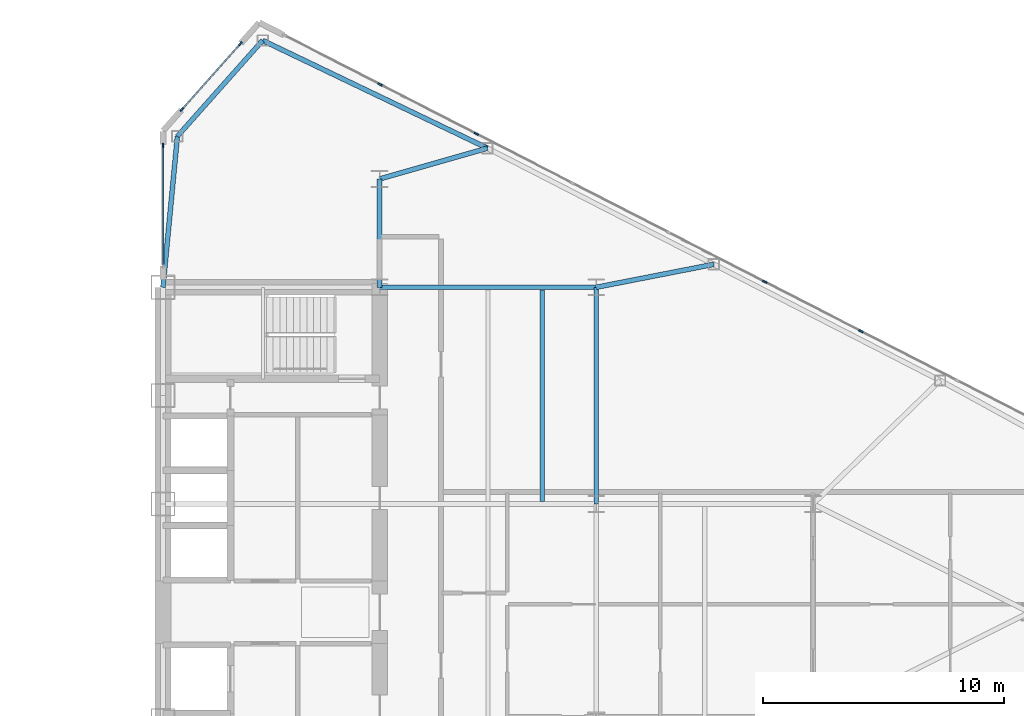
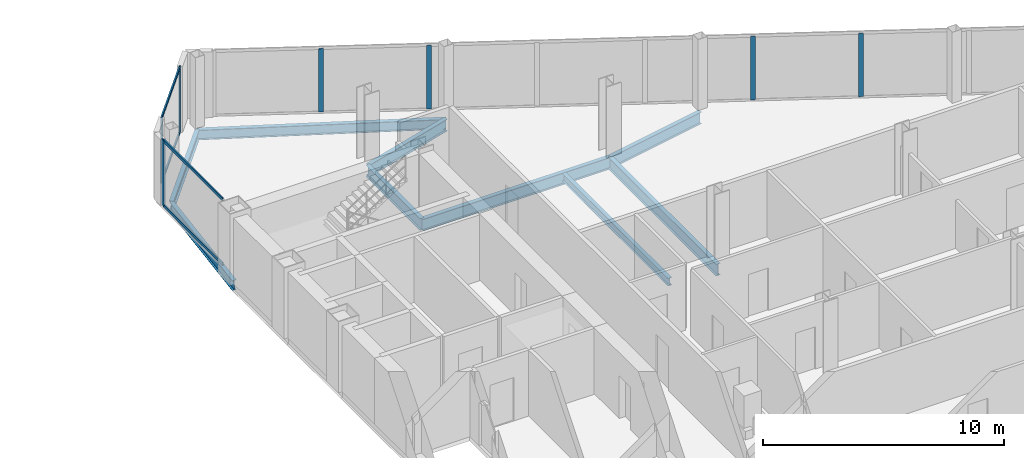
# One storey, part 11 of 23: 11 members, 9 beams, 3 elements without a shape of their own.
"""IFC4 building model written with IfcOpenShell, lengths in metres."""

from ifc_helpers import new_model, si_unit, direction, frame, origin, origin_2d, place, context, subcontext, project, spatial, rectangle, i_section, extrude, source, transform, mapped, material, layer, layer_set, material_profile, profile_set, type_object, type_shapes, element, aggregate, save


model = new_model("IFC4")

# Units and contexts
model_context = context("Model", 3, precision=1e-05, world=origin(), true_north=direction((0.0, 1.0)))
body_context = subcontext(model_context, "Body", "Model", "MODEL_VIEW")
ifc_project = project(units=[si_unit("LENGTHUNIT", "METRE"), si_unit("AREAUNIT", "SQUARE_METRE"), si_unit("VOLUMEUNIT", "CUBIC_METRE"), si_unit("PLANEANGLEUNIT", "RADIAN"), si_unit("MASSUNIT", "GRAM", prefix="KILO")], contexts=[model_context])

# Site, building, storey
site_placement = place(None, origin())
site = spatial("IfcSite", under=ifc_project, at=site_placement, CompositionType="ELEMENT")
building_placement = place(site_placement, origin())
building = spatial("IfcBuilding", under=site, at=building_placement, Name="Seokmaru Belvedere", CompositionType="ELEMENT")
storey_placement = place(building_placement, frame((0.0, 0.0, 132.0)))
storey = spatial("IfcBuildingStorey", under=building, at=storey_placement, Name="L35", CompositionType="ELEMENT", Elevation=132.0)

# Beams
ifc_material_1 = material(Name="Steel SM355 (355 MPa)", Category="steel")
ifc_material_profile_1 = material_profile(ifc_material_1, i_section(OverallWidth=0.199951171875, OverallDepth=0.60009765625, WebThickness=0.010986328125, FlangeThickness=0.01708984375, at=origin_2d()), Name="H-600x200x11x17")
ifc_profile_set_1 = profile_set([ifc_material_profile_1], Name="Steel SM355 (355 MPa)")
beam_type_1 = type_object("IfcBeamType", Name="Primary Floor Girder H-600", PredefinedType="BEAM", material=ifc_profile_set_1)
shared_shape_1 = source(origin(), body_context, "Body", "SweptSolid", [
    extrude(i_section(OverallWidth=0.199951171875, OverallDepth=0.60009765625, WebThickness=0.010986328125, FlangeThickness=0.01708984375, at=origin_2d()), origin(), (0.0, 0.0, 1.0), 9.0),
])
for number, where, z_axis, x_axis, name in (
    (1, (45.5, 4.5, -0.52001953125), (0.0, 1.0, 0.0), (-1.0, 0.0, 0.0), "L35 E Interior Grid Girder 3"),
    (2, (36.5, 13.5, -0.52001953125), (1.0, 0.0, 0.0), (0.0, 1.0, 0.0), "L35 E Wing Primary Girder 4"),
):
    element("IfcBeam", number, at=place(storey_placement, frame(where, z_axis=z_axis, x_axis=x_axis)), inside=storey, type_object=beam_type_1, Name=name, PredefinedType="BEAM", context=body_context, shape_type="MappedRepresentation", body=[
        mapped(shared_shape_1, transform((0.0, 0.0, 0.0), scale=1.0)),
    ])
ifc_material_profile_2 = material_profile(ifc_material_1, i_section(OverallWidth=0.18505859375, OverallDepth=0.389892578125, WebThickness=0.008056640625, FlangeThickness=0.011962890625, at=origin_2d()), Name="H-390x185x8x12")
ifc_profile_set_2 = profile_set([ifc_material_profile_2], Name="Steel SM355 (355 MPa)")
beam_type_2 = type_object("IfcBeamType", Name="Secondary Floor Joist H-350", PredefinedType="JOIST", material=ifc_profile_set_2)
shared_shape_2 = source(origin(), body_context, "Body", "SweptSolid", [
    extrude(i_section(OverallWidth=0.18505859375, OverallDepth=0.389892578125, WebThickness=0.008056640625, FlangeThickness=0.011962890625, at=origin_2d()), origin(), (0.0, 0.0, 1.0), 8.7900390625),
])
type_shapes(beam_type_2, [shared_shape_2])
beam_1_placement = place(storey_placement, frame((43.25, 4.60498046875, -0.4150390625), z_axis=(0.0, 1.0, 0.0), x_axis=(-1.0, 0.0, 0.0)))
element("IfcBeam", 3, at=beam_1_placement, inside=storey, type_object=beam_type_2, Name="L35 E Wing Inner Secondary Joist 2", PredefinedType="JOIST", context=body_context, shape_type="MappedRepresentation", body=[
    mapped(shared_shape_2, transform((0.0, 0.0, 0.0), scale=1.0)),
])
shared_shape_3 = source(origin(), body_context, "Body", "SweptSolid", [
    extrude(i_section(OverallWidth=0.199951171875, OverallDepth=0.60009765625, WebThickness=0.010986328125, FlangeThickness=0.01708984375, at=origin_2d()), origin(), (0.0, 0.0, 1.0), 4.5),
])
beam_2_placement = place(storey_placement, frame((36.5, 13.5, -0.52001953125), z_axis=(0.0, 1.0, 0.0), x_axis=(-1.0, 0.0, 0.0)))
element("IfcBeam", 4, at=beam_2_placement, inside=storey, type_object=beam_type_1, Name="L35 E Core Shoulder Girder N", PredefinedType="BEAM", context=body_context, shape_type="MappedRepresentation", body=[
    mapped(shared_shape_3, transform((0.0, 0.0, 0.0), scale=1.0)),
])
ifc_material_profile_3 = material_profile(ifc_material_1, i_section(OverallWidth=0.199951171875, OverallDepth=0.5, WebThickness=0.010009765625, FlangeThickness=0.01611328125, at=origin_2d()), Name="H-500x200x10x16")
ifc_profile_set_3 = profile_set([ifc_material_profile_3], Name="Steel SM355 (355 MPa)")
beam_type_3 = type_object("IfcBeamType", Name="Perimeter Spandrel Beam H-500", PredefinedType="SPANDREL", material=ifc_profile_set_3)
shared_shape_4 = source(origin(), body_context, "Body", "SweptSolid", [
    extrude(i_section(OverallWidth=0.199951171875, OverallDepth=0.5, WebThickness=0.010009765625, FlangeThickness=0.01611328125, at=origin_2d()), origin(), (0.0, 0.0, 1.0), 10.353759765625),
])
beam_3_placement = place(storey_placement, frame((31.6396484375, 23.75390625, -0.469970703125), z_axis=(0.901713202822, -0.432334708134, 0.0), x_axis=(0.432334708134, 0.901713202822, 0.0)))
element("IfcBeam", 5, at=beam_3_placement, inside=storey, type_object=beam_type_3, Name="L35 E Faceted Flank Spandrel N-1", PredefinedType="SPANDREL", context=body_context, shape_type="MappedRepresentation", body=[
    mapped(shared_shape_4, transform((0.0, 0.0, 0.0), scale=1.0)),
])
shared_shape_5 = source(origin(), body_context, "Body", "SweptSolid", [
    extrude(i_section(OverallWidth=0.199951171875, OverallDepth=0.5, WebThickness=0.010009765625, FlangeThickness=0.01611328125, at=origin_2d()), origin(), (0.0, 0.0, 1.0), 5.32763671875),
])
beam_4_placement = place(storey_placement, frame((31.6396484375, 23.75390625, -0.469970703125), z_axis=(-0.66436952742, -0.74740426212, 0.0), x_axis=(0.74740426212, -0.66436952742, 0.0)))
element("IfcBeam", 6, at=beam_4_placement, inside=storey, type_object=beam_type_3, Name="L35 E Shoulder Chamfer Spandrel N", PredefinedType="SPANDREL", context=body_context, shape_type="MappedRepresentation", body=[
    mapped(shared_shape_5, transform((0.0, 0.0, 0.0), scale=1.0)),
])
shared_shape_6 = source(origin(), body_context, "Body", "SweptSolid", [
    extrude(i_section(OverallWidth=0.199951171875, OverallDepth=0.5, WebThickness=0.010009765625, FlangeThickness=0.01611328125, at=origin_2d()), origin(), (0.0, 0.0, 1.0), 6.300537109375),
])
type_shapes(beam_type_3, [shared_shape_4, shared_shape_5, shared_shape_6])
beam_5_placement = place(storey_placement, frame((28.10009765625, 19.77197265625, -0.469970703125), z_axis=(-0.095244287992, -0.995453929424, 0.0), x_axis=(0.995453929424, -0.095244287992, 0.0)))
element("IfcBeam", 7, at=beam_5_placement, inside=storey, type_object=beam_type_3, Name="L35 E Shoulder Spine Spandrel N", PredefinedType="SPANDREL", context=body_context, shape_type="MappedRepresentation", body=[
    mapped(shared_shape_6, transform((0.0, 0.0, 0.0), scale=1.0)),
])
shared_shape_7 = source(origin(), body_context, "Body", "SweptSolid", [
    extrude(i_section(OverallWidth=0.199951171875, OverallDepth=0.60009765625, WebThickness=0.010986328125, FlangeThickness=0.01708984375, at=origin_2d()), origin(), (0.0, 0.0, 1.0), 4.654541015625),
])
beam_6_placement = place(storey_placement, frame((40.975830078125, 19.277587890625, -0.52001953125), z_axis=(-0.961593192625, -0.274478654721, 0.0), x_axis=(0.274478654721, -0.961593192625, 0.0)))
element("IfcBeam", 8, at=beam_6_placement, inside=storey, type_object=beam_type_1, Name="L35 E Flank Radial Floor Girder N-1", PredefinedType="BEAM", context=body_context, shape_type="MappedRepresentation", body=[
    mapped(shared_shape_7, transform((0.0, 0.0, 0.0), scale=1.0)),
])
shared_shape_8 = source(origin(), body_context, "Body", "SweptSolid", [
    extrude(i_section(OverallWidth=0.199951171875, OverallDepth=0.60009765625, WebThickness=0.010986328125, FlangeThickness=0.01708984375, at=origin_2d()), origin(), (0.0, 0.0, 1.0), 4.969482421875),
])
type_shapes(beam_type_1, [shared_shape_1, shared_shape_3, shared_shape_7, shared_shape_8])
beam_7_placement = place(storey_placement, frame((50.377197265625, 14.453369140625, -0.52001953125), z_axis=(-0.98142544456, -0.19184393858, 0.0), x_axis=(0.19184393858, -0.98142544456, 0.0)))
element("IfcBeam", 9, at=beam_7_placement, inside=storey, type_object=beam_type_1, Name="L35 E Flank Radial Floor Girder N-2", PredefinedType="BEAM", context=body_context, shape_type="MappedRepresentation", body=[
    mapped(shared_shape_8, transform((0.0, 0.0, 0.0), scale=1.0)),
])

# Curtain wall, members
ifc_material_2 = material(Name="Bronze Triple Insulating Glass", Category="glass")
ifc_layer = layer(ifc_material_2, 0.195068359375)
ifc_layer_set = layer_set([ifc_layer], Name="Bronze Triple Insulating Glass")
curtain_wall_type = type_object("IfcCurtainWallType", Name="Sky-Lobby and Mid-Rise Curtain Wall System CW-4", PredefinedType="NOTDEFINED", material=ifc_layer_set)
curtain_wall_1_placement = place(storey_placement, origin())
curtain_wall_1 = element("IfcCurtainWall", 10, at=curtain_wall_1_placement, inside=storey, type_object=curtain_wall_type, Name="L35 Curtain Wall EF4", PredefinedType="NOTDEFINED")
ifc_material_3 = material(Name="Anodised Bronze Aluminium", Category="aluminium")
ifc_material_profile_4 = material_profile(ifc_material_3, rectangle(XDim=0.070068359375, YDim=0.195068359375, at=origin_2d()), Name="CW-M-70x195")
ifc_profile_set_4 = profile_set([ifc_material_profile_4], Name="Anodised Bronze Aluminium")
member_type_1 = type_object("IfcMemberType", Name="Bronze Unitised Mullion 70x195", PredefinedType="MULLION", material=ifc_profile_set_4)
shared_shape_9 = source(origin(), body_context, "Body", "SweptSolid", [
    extrude(rectangle(XDim=0.070068359375, YDim=0.195068359375, at=origin_2d()), origin(), (0.0, 0.0, 1.0), 3.340087890625),
])
member_1_placement = place(storey_placement, frame((30.712646484375, 23.6142578125, 0.0), z_axis=(0.0, 0.0, 1.0), x_axis=(0.747409774804, -0.664363325694, 0.0)))
member_1 = element("IfcMember", 11, at=member_1_placement, type_object=member_type_1, Name="CW:L35:EF4 Mullion 1", PredefinedType="MULLION", context=body_context, shape_type="MappedRepresentation", body=[
    mapped(shared_shape_9, transform((0.0, 0.0, 0.0), scale=1.0)),
])
member_2_placement = place(storey_placement, frame((28.287353515625, 20.8857421875, 0.0), z_axis=(0.0, 0.0, 1.0), x_axis=(0.747409774804, -0.664363325694, 0.0)))
member_2 = element("IfcMember", 12, at=member_2_placement, type_object=member_type_1, Name="CW:L35:EF4 Mullion 2", PredefinedType="MULLION", context=body_context, shape_type="MappedRepresentation", body=[
    mapped(shared_shape_9, transform((0.0, 0.0, 0.0), scale=1.0)),
])

curtain_wall_2_placement = place(storey_placement, origin())
curtain_wall_2 = element("IfcCurtainWall", 13, at=curtain_wall_2_placement, inside=storey, type_object=curtain_wall_type, Name="L35 Curtain Wall ESP_2", PredefinedType="NOTDEFINED")
member_3_placement = place(storey_placement, frame((27.5, 19.39501953125, 0.0), z_axis=(0.0, 0.0, 1.0), x_axis=(1.0, 0.0, 0.0)))
member_3 = element("IfcMember", 14, at=member_3_placement, type_object=member_type_1, Name="CW:L35:ESP_2 Mullion 1", PredefinedType="MULLION", context=body_context, shape_type="MappedRepresentation", body=[
    mapped(shared_shape_9, transform((0.0, 0.0, 0.0), scale=1.0)),
])
ifc_material_profile_5 = material_profile(ifc_material_3, rectangle(XDim=0.06494140625, YDim=0.14990234375, at=origin_2d()), Name="CW-T-65x150")
ifc_profile_set_5 = profile_set([ifc_material_profile_5], Name="Anodised Bronze Aluminium")
member_type_2 = type_object("IfcMemberType", Name="Bronze Unitised Transom 65x150", PredefinedType="USERDEFINED", material=ifc_profile_set_5)
shared_shape_10 = source(origin(), body_context, "Body", "SweptSolid", [
    extrude(rectangle(XDim=0.06494140625, YDim=0.14990234375, at=origin_2d()), origin(), (0.0, 0.0, 1.0), 4.91015625),
])
member_4_placement = place(storey_placement, frame((27.5, 19.360107421875, 0.032470703125), z_axis=(0.0, -1.0, 0.0), x_axis=(1.0, 0.0, 0.0)))
member_4 = element("IfcMember", 15, at=member_4_placement, type_object=member_type_2, Name="CW:L35:ESP_2 Continuous Transom 1", ObjectType="TRANSOM", PredefinedType="USERDEFINED", context=body_context, shape_type="MappedRepresentation", body=[
    mapped(shared_shape_10, transform((0.0, 0.0, 0.0), scale=1.0)),
])
member_5_placement = place(storey_placement, frame((27.5, 19.360107421875, 3.3076171875), z_axis=(0.0, -1.0, 0.0), x_axis=(1.0, 0.0, 0.0)))
member_5 = element("IfcMember", 16, at=member_5_placement, type_object=member_type_2, Name="CW:L35:ESP_2 Continuous Transom 2", ObjectType="TRANSOM", PredefinedType="USERDEFINED", context=body_context, shape_type="MappedRepresentation", body=[
    mapped(shared_shape_10, transform((0.0, 0.0, 0.0), scale=1.0)),
])
aggregate(curtain_wall_2, [member_3, member_4, member_5])

# Member
shared_shape_11 = source(origin(), body_context, "Body", "SweptSolid", [
    extrude(rectangle(XDim=0.06494140625, YDim=0.14990234375, at=origin_2d()), origin(), (0.0, 0.0, 1.0), 3.580810546875),
])
type_shapes(member_type_2, [shared_shape_10, shared_shape_11])
member_6_placement = place(storey_placement, frame((30.689453125, 23.588134765625, 0.032470703125), z_axis=(-0.66436383883, -0.747409318684, 0.0), x_axis=(0.747409318684, -0.66436383883, 0.0)))
member_6 = element("IfcMember", 17, at=member_6_placement, type_object=member_type_2, Name="CW:L35:EF4 Continuous Transom 1", ObjectType="TRANSOM", PredefinedType="USERDEFINED", context=body_context, shape_type="MappedRepresentation", body=[
    mapped(shared_shape_11, transform((0.0, 0.0, 0.0), scale=1.0)),
])

member_7_placement = place(storey_placement, frame((30.689453125, 23.588134765625, 3.3076171875), z_axis=(-0.66436383883, -0.747409318684, 0.0), x_axis=(0.747409318684, -0.66436383883, 0.0)))
member_7 = element("IfcMember", 18, at=member_7_placement, type_object=member_type_2, Name="CW:L35:EF4 Continuous Transom 2", ObjectType="TRANSOM", PredefinedType="USERDEFINED", context=body_context, shape_type="MappedRepresentation", body=[
    mapped(shared_shape_11, transform((0.0, 0.0, 0.0), scale=1.0)),
])

aggregate(curtain_wall_1, [member_1, member_2, member_6, member_7])

# Curtain wall, members
curtain_wall_3_placement = place(storey_placement, origin())
curtain_wall_3 = element("IfcCurtainWall", 19, at=curtain_wall_3_placement, inside=storey, type_object=curtain_wall_type, Name="L35 Curtain Wall EF3", PredefinedType="NOTDEFINED")
shared_shape_12 = source(origin(), body_context, "Body", "SweptSolid", [
    extrude(rectangle(XDim=0.070068359375, YDim=0.195068359375, at=origin_2d()), origin(), (0.0, 0.0, 1.0), 3.2099609375),
])
type_shapes(member_type_1, [shared_shape_9, shared_shape_12])
member_8_placement = place(storey_placement, frame((56.4921875, 11.675048828125, 0.06494140625), z_axis=(0.0, 0.0, 1.0), x_axis=(-0.456554528263, -0.889695432562, 0.0)))
member_8 = element("IfcMember", 20, at=member_8_placement, type_object=member_type_1, Name="CW:L35:EF3 Mullion 4", PredefinedType="MULLION", context=body_context, shape_type="MappedRepresentation", body=[
    mapped(shared_shape_12, transform((0.0, 0.0, 0.0), scale=1.0)),
])
member_9_placement = place(storey_placement, frame((52.497314453125, 13.72509765625, 0.06494140625), z_axis=(0.0, 0.0, 1.0), x_axis=(-0.456554528263, -0.889695432562, 0.0)))
member_9 = element("IfcMember", 21, at=member_9_placement, type_object=member_type_1, Name="CW:L35:EF3 Mullion 5", PredefinedType="MULLION", context=body_context, shape_type="MappedRepresentation", body=[
    mapped(shared_shape_12, transform((0.0, 0.0, 0.0), scale=1.0)),
])
member_10_placement = place(storey_placement, frame((40.5126953125, 19.875, 0.06494140625), z_axis=(0.0, 0.0, 1.0), x_axis=(-0.456554528263, -0.889695432562, 0.0)))
member_10 = element("IfcMember", 22, at=member_10_placement, type_object=member_type_1, Name="CW:L35:EF3 Mullion 8", PredefinedType="MULLION", context=body_context, shape_type="MappedRepresentation", body=[
    mapped(shared_shape_12, transform((0.0, 0.0, 0.0), scale=1.0)),
])
member_11_placement = place(storey_placement, frame((36.51806640625, 21.925048828125, 0.06494140625), z_axis=(0.0, 0.0, 1.0), x_axis=(-0.456554528263, -0.889695432562, 0.0)))
member_11 = element("IfcMember", 23, at=member_11_placement, type_object=member_type_1, Name="CW:L35:EF3 Mullion 9", PredefinedType="MULLION", context=body_context, shape_type="MappedRepresentation", body=[
    mapped(shared_shape_12, transform((0.0, 0.0, 0.0), scale=1.0)),
])
aggregate(curtain_wall_3, [member_8, member_9, member_10, member_11])

save(model, "model.ifc")
